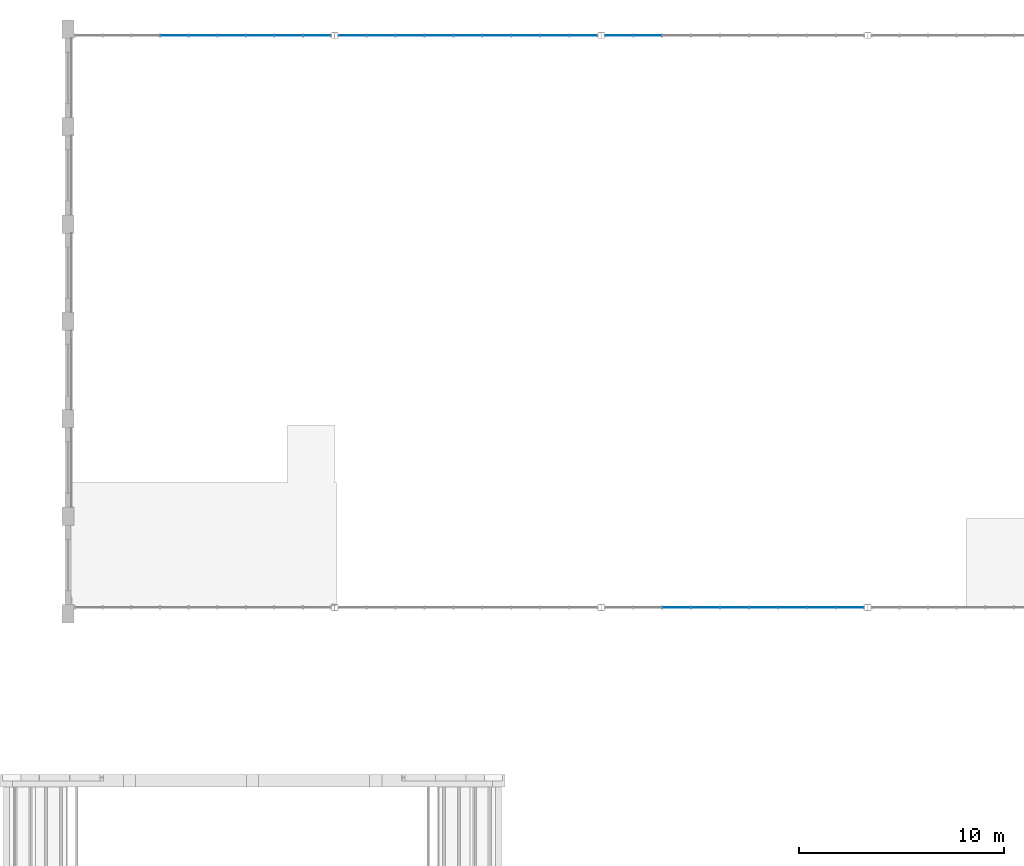
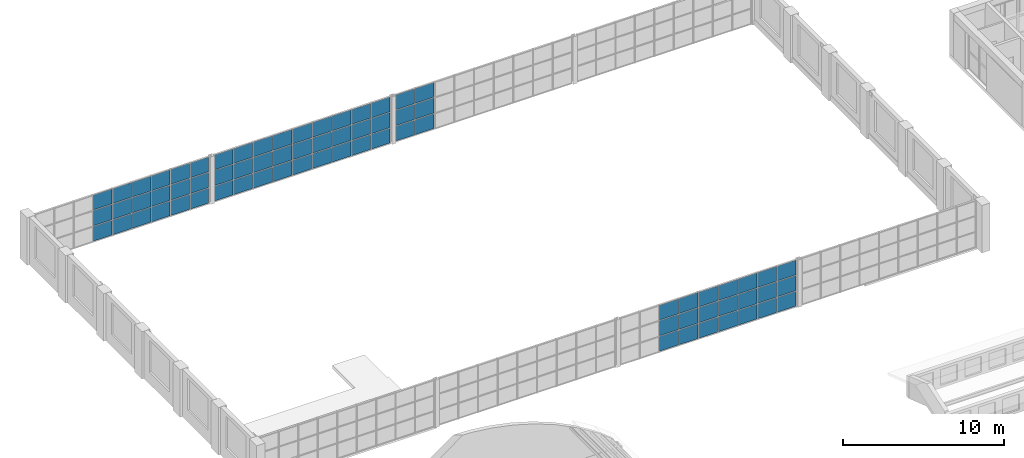
# One storey, part 28 of 70: 72 plates, 4 elements without a shape of their own.
"""IFC4 building model written with IfcOpenShell, lengths in metres."""

import ifcopenshell
import ifcopenshell.guid

model = None  # the IFC model being written
_history = None  # IfcOwnerHistory: only IFC2X3 demands one
_inside = {}  # id of a spatial element -> (the spatial element, [elements in it])
_under = {}  # id of a project, library or spatial element -> (it, [spatial elements below it])
_declared = {}  # id of a project -> (the project, [libraries it declares])
_typed = {}  # id of a type object -> (the type object, [elements of that type])
_made_of = {}  # id of a material, layer set ... -> (it, [elements and type objects made of it])


def new_model(schema):
    """Start an empty IFC model of exactly this schema.

    Asked for "IFC4X3", IfcOpenShell would pick the latest addendum, in which some entities
    have other attributes; the version numbers below select the first issue.
    IFC2X3 requires an IfcOwnerHistory on every rooted entity: one is made here for all.
    """
    global model, _history
    if schema == "IFC4X3":
        model = ifcopenshell.file(schema_version=(4, 3, 0, 0))
    else:
        model = ifcopenshell.file(schema=schema)
    _inside.clear()
    _under.clear()
    _declared.clear()
    _typed.clear()
    _made_of.clear()
    _history = None
    if model.schema == "IFC2X3":
        org = make("IfcOrganization", Name="unknown")
        user = make(
            "IfcPersonAndOrganization",
            ThePerson=make("IfcPerson", FamilyName="unknown"),
            TheOrganization=org,
        )
        app = make(
            "IfcApplication",
            ApplicationDeveloper=org,
            Version="unknown",
            ApplicationFullName="unknown",
            ApplicationIdentifier="unknown",
        )
        _history = make(
            "IfcOwnerHistory",
            OwningUser=user,
            OwningApplication=app,
            ChangeAction="ADDED",
            CreationDate=0,
        )
    return model


def make(cls, **values):
    """One entity of the class cls with the attributes given. An attribute that is None is left unset."""
    return model.create_entity(
        cls, **{name: value for name, value in values.items() if value is not None}
    )


def rooted(cls, **values):
    """An entity with a GlobalId (a new one), such as an element, a storey or a relation."""
    return make(cls, GlobalId=ifcopenshell.guid.new(), OwnerHistory=_history, **values)


def si_unit(unit_type, name, prefix=None):
    """IfcSIUnit, for example si_unit("LENGTHUNIT", "METRE", prefix="MILLI")."""
    return make("IfcSIUnit", UnitType=unit_type, Prefix=prefix, Name=name)


def assignment(units):
    """IfcUnitAssignment: the units of a project."""
    return None if units is None else make("IfcUnitAssignment", Units=units)


def point(xyz):
    """IfcCartesianPoint."""
    return None if xyz is None else make("IfcCartesianPoint", Coordinates=xyz)


def direction(xyz):
    """IfcDirection."""
    return None if xyz is None else make("IfcDirection", DirectionRatios=xyz)


def frame(location, z_axis=None, x_axis=None):
    """IfcAxis2Placement3D, a coordinate frame: its origin and axes. An axis left out is left unset."""
    return make(
        "IfcAxis2Placement3D",
        Location=point(location),
        Axis=direction(z_axis),
        RefDirection=direction(x_axis),
    )


def frame_2d(location, x_axis=None):
    """IfcAxis2Placement2D, a coordinate frame in the plane: its origin and x axis."""
    return make(
        "IfcAxis2Placement2D", Location=point(location), RefDirection=direction(x_axis)
    )


def origin():
    """The frame at (0, 0, 0) with its axes left unset."""
    return frame((0.0, 0.0, 0.0))


def origin_2d():
    """The frame at (0, 0) in the plane with its x axis left unset."""
    return frame_2d((0.0, 0.0))


def place(relative_to, where):
    """IfcLocalPlacement: puts the frame where relative to a parent placement (None: the world)."""
    return make(
        "IfcLocalPlacement", PlacementRelTo=relative_to, RelativePlacement=where
    )


def context(
    kind, dimensions, precision=None, world=None, true_north=None, identifier=None
):
    """IfcGeometricRepresentationContext, for example the 3D "Model" context."""
    return make(
        "IfcGeometricRepresentationContext",
        ContextIdentifier=identifier,
        ContextType=kind,
        CoordinateSpaceDimension=dimensions,
        Precision=precision,
        WorldCoordinateSystem=world,
        TrueNorth=true_north,
    )


def subcontext(parent, identifier, kind, view, scale=None):
    """IfcGeometricRepresentationSubContext, for example "Body" below "Model"."""
    return make(
        "IfcGeometricRepresentationSubContext",
        ContextIdentifier=identifier,
        ContextType=kind,
        ParentContext=parent,
        TargetScale=scale,
        TargetView=view,
    )


def project(units=None, contexts=None):
    """IfcProject with its units and contexts."""
    return rooted(
        "IfcProject",
        Name="project",
        RepresentationContexts=contexts,
        UnitsInContext=assignment(units),
    )


def spatial(cls, under=None, at=None, **own):
    """A site, building, storey or space (cls), placed at a placement, below another one or the project."""
    s = rooted(cls, ObjectPlacement=at, **own)
    if under is not None:
        _under.setdefault(under.id(), (under, []))[1].append(s)
    return s


def profile(cls, at=None, kind="AREA", **sizes):
    """A parametric profile (cls). Its sizes go by their IFC names, for example OverallWidth=200.0."""
    return make(cls, ProfileType=kind, Position=at, **sizes)


def rectangle(**sizes):
    """IfcRectangleProfileDef."""
    return profile("IfcRectangleProfileDef", **sizes)


def extrude(swept, where, along, depth):
    """IfcExtrudedAreaSolid: the profile swept, set in the frame where, extruded along a direction by depth."""
    return make(
        "IfcExtrudedAreaSolid",
        SweptArea=swept,
        Position=where,
        ExtrudedDirection=direction(along),
        Depth=depth,
    )


def shape(context_of_items, identifier, shape_type, items):
    """IfcShapeRepresentation: the items that make up one representation, for example the "Body"."""
    return make(
        "IfcShapeRepresentation",
        ContextOfItems=context_of_items,
        RepresentationIdentifier=identifier,
        RepresentationType=shape_type,
        Items=items,
    )


def material(Name=None, Category=None):
    """IfcMaterial."""
    return make("IfcMaterial", Name=Name, Category=Category)


def layer(
    of_material, thickness, ventilated=None, Name=None, Category=None, Priority=None
):
    """IfcMaterialLayer: one layer of a wall or slab, of a material (None: an air gap)."""
    return make(
        "IfcMaterialLayer",
        Material=of_material,
        LayerThickness=thickness,
        IsVentilated=ventilated,
        Name=Name,
        Category=Category,
        Priority=Priority,
    )


def layer_set(layers, Name=None):
    """IfcMaterialLayerSet."""
    return make("IfcMaterialLayerSet", MaterialLayers=layers, LayerSetName=Name)


def made_of(thing, what):
    """Note that an element or type object is made of a material, layer set ...; save() writes the relation."""
    if what is not None:
        _made_of.setdefault(what.id(), (what, []))[1].append(thing)
    return thing


def type_object(cls, material=None, **own):
    """A type object (cls), such as IfcWallType, which elements share."""
    return made_of(rooted(cls, **own), material)


def element(
    cls,
    number,
    at=None,
    inside=None,
    cuts=None,
    type_object=None,
    material=None,
    context=None,
    identifier="Body",
    shape_type=None,
    held_by="IfcProductDefinitionShape",
    body=None,
    shapes=None,
    **own,
):
    """One element of the class cls, such as IfcWall. Its Tag is "e" and its number.

    at: its placement. inside: the storey or other place that contains it. cuts: it is an
    opening in that element (IfcRelVoidsElement). A single representation is given by context,
    identifier, shape_type and body (its items); several are given by shapes. held_by: the class
    of the entity that holds the representations. save() writes the other relations.
    """
    e = rooted(cls, Tag="e%d" % number, ObjectPlacement=at, **own)
    if body is not None:
        shapes = [shape(context, identifier, shape_type, body)]
    if shapes is not None:
        e.Representation = make(held_by, Representations=shapes)
    if inside is not None:
        _inside.setdefault(inside.id(), (inside, []))[1].append(e)
    if cuts is not None:
        rooted(
            "IfcRelVoidsElement", RelatingBuildingElement=cuts, RelatedOpeningElement=e
        )
    if type_object is not None:
        _typed.setdefault(type_object.id(), (type_object, []))[1].append(e)
    return made_of(e, material)


def aggregate(whole, parts):
    """IfcRelAggregates: a whole, such as a stair, and the parts it consists of."""
    return rooted("IfcRelAggregates", RelatingObject=whole, RelatedObjects=parts)


def save(model, path):
    """Write the relations noted so far, then the file.

    IfcRelAggregates (storeys below a building ...), IfcRelContainedInSpatialStructure (elements
    in a storey), IfcRelDefinesByType, IfcRelAssociatesMaterial and IfcRelDeclares: one each for
    every whole, place, type object, material and project.
    """
    for whole, parts in _under.values():
        aggregate(whole, parts)
    for where, things in _inside.values():
        rooted(
            "IfcRelContainedInSpatialStructure",
            RelatedElements=things,
            RelatingStructure=where,
        )
    for kind, things in _typed.values():
        rooted("IfcRelDefinesByType", RelatedObjects=things, RelatingType=kind)
    for what, things in _made_of.values():
        rooted("IfcRelAssociatesMaterial", RelatedObjects=things, RelatingMaterial=what)
    for by, libraries in _declared.values():
        rooted("IfcRelDeclares", RelatingContext=by, RelatedDefinitions=libraries)
    model.write(path)


model = new_model("IFC4")

# Units and contexts
model_context = context("Model", 3, precision=1e-05, world=origin(), true_north=direction((0.0, 1.0)))
body_context = subcontext(model_context, "Body", "Model", "MODEL_VIEW")
ifc_project = project(units=[si_unit("LENGTHUNIT", "METRE"), si_unit("AREAUNIT", "SQUARE_METRE"), si_unit("VOLUMEUNIT", "CUBIC_METRE"), si_unit("PLANEANGLEUNIT", "RADIAN"), si_unit("MASSUNIT", "GRAM", prefix="KILO")], contexts=[model_context])

# Site, building, storey
site_placement = place(None, origin())
site = spatial("IfcSite", under=ifc_project, at=site_placement, CompositionType="ELEMENT")
building_placement = place(site_placement, origin())
building = spatial("IfcBuilding", under=site, at=building_placement, Name="Elbe Cascade School", CompositionType="ELEMENT")
storey_placement = place(building_placement, frame((0.0, 0.0, 8.10009765625)))
storey = spatial("IfcBuildingStorey", under=building, at=storey_placement, Name="L02", CompositionType="ELEMENT", Elevation=8.10009765625)

# Curtain wall, plates
ifc_material_1 = material(Name="Glass - double glazed low-E", Category="glass")
curtain_wall_type = type_object("IfcCurtainWallType", Name="Hall gable curtain wall", PredefinedType="NOTDEFINED", material=ifc_material_1)
curtain_wall_1_placement = place(storey_placement, origin())
curtain_wall_1 = element("IfcCurtainWall", 1, at=curtain_wall_1_placement, inside=storey, type_object=curtain_wall_type, Name="Gable curtain wall S3", PredefinedType="NOTDEFINED")
ifc_material_2 = material(Name="Glass - double glazed low-E", Category="glass")
ifc_layer = layer(ifc_material_2, 0.028076171875)
ifc_layer_set = layer_set([ifc_layer], Name="Glass - double glazed low-E")
plate_type = type_object("IfcPlateType", Name="Hall gable glass panel", PredefinedType="CURTAIN_PANEL", material=ifc_layer_set)
plate_1_placement = place(storey_placement, frame((37.677734375, 41.300048828125, 0.06005859375), z_axis=(0.0, 0.0, 1.0), x_axis=(1.0, 0.0, 0.0)))
plate_1 = element("IfcPlate", 2, at=plate_1_placement, type_object=plate_type, Name="CW6 panel 3.1", PredefinedType="CURTAIN_PANEL", context=body_context, shape_type="SweptSolid", body=[
    extrude(rectangle(XDim=1.35107421875, YDim=0.028076171875, at=origin_2d()), origin(), (0.0, 0.0, 1.0), 1.110107421875),
])
plate_2_placement = place(storey_placement, frame((37.677734375, 41.300048828125, 1.22998046875), z_axis=(0.0, 0.0, 1.0), x_axis=(1.0, 0.0, 0.0)))
plate_2 = element("IfcPlate", 3, at=plate_2_placement, type_object=plate_type, Name="CW6 panel 3.2", PredefinedType="CURTAIN_PANEL", context=body_context, shape_type="SweptSolid", body=[
    extrude(rectangle(XDim=1.35107421875, YDim=0.028076171875, at=origin_2d()), origin(), (0.0, 0.0, 1.0), 1.139892578125),
])
plate_3_placement = place(storey_placement, frame((37.677734375, 41.300048828125, 2.4296875), z_axis=(0.0, 0.0, 1.0), x_axis=(1.0, 0.0, 0.0)))
plate_3 = element("IfcPlate", 4, at=plate_3_placement, type_object=plate_type, Name="CW6 panel 3.3", PredefinedType="CURTAIN_PANEL", context=body_context, shape_type="SweptSolid", body=[
    extrude(rectangle(XDim=1.35107421875, YDim=0.028076171875, at=origin_2d()), origin(), (0.0, 0.0, 1.0), 1.110107421875),
])
plate_4_placement = place(storey_placement, frame((39.0888671875, 41.300048828125, 0.06005859375), z_axis=(0.0, 0.0, 1.0), x_axis=(1.0, 0.0, 0.0)))
plate_4 = element("IfcPlate", 5, at=plate_4_placement, type_object=plate_type, Name="CW6 panel 4.1", PredefinedType="CURTAIN_PANEL", context=body_context, shape_type="SweptSolid", body=[
    extrude(rectangle(XDim=1.35107421875, YDim=0.028076171875, at=origin_2d()), origin(), (0.0, 0.0, 1.0), 1.110107421875),
])
plate_5_placement = place(storey_placement, frame((39.0888671875, 41.300048828125, 1.22998046875), z_axis=(0.0, 0.0, 1.0), x_axis=(1.0, 0.0, 0.0)))
plate_5 = element("IfcPlate", 6, at=plate_5_placement, type_object=plate_type, Name="CW6 panel 4.2", PredefinedType="CURTAIN_PANEL", context=body_context, shape_type="SweptSolid", body=[
    extrude(rectangle(XDim=1.35107421875, YDim=0.028076171875, at=origin_2d()), origin(), (0.0, 0.0, 1.0), 1.139892578125),
])
plate_6_placement = place(storey_placement, frame((39.0888671875, 41.300048828125, 2.4296875), z_axis=(0.0, 0.0, 1.0), x_axis=(1.0, 0.0, 0.0)))
plate_6 = element("IfcPlate", 7, at=plate_6_placement, type_object=plate_type, Name="CW6 panel 4.3", PredefinedType="CURTAIN_PANEL", context=body_context, shape_type="SweptSolid", body=[
    extrude(rectangle(XDim=1.35107421875, YDim=0.028076171875, at=origin_2d()), origin(), (0.0, 0.0, 1.0), 1.110107421875),
])
plate_7_placement = place(storey_placement, frame((40.5, 41.300048828125, 0.06005859375), z_axis=(0.0, 0.0, 1.0), x_axis=(1.0, 0.0, 0.0)))
plate_7 = element("IfcPlate", 8, at=plate_7_placement, type_object=plate_type, Name="CW6 panel 5.1", PredefinedType="CURTAIN_PANEL", context=body_context, shape_type="SweptSolid", body=[
    extrude(rectangle(XDim=1.35107421875, YDim=0.028076171875, at=origin_2d()), origin(), (0.0, 0.0, 1.0), 1.110107421875),
])
plate_8_placement = place(storey_placement, frame((40.5, 41.300048828125, 1.22998046875), z_axis=(0.0, 0.0, 1.0), x_axis=(1.0, 0.0, 0.0)))
plate_8 = element("IfcPlate", 9, at=plate_8_placement, type_object=plate_type, Name="CW6 panel 5.2", PredefinedType="CURTAIN_PANEL", context=body_context, shape_type="SweptSolid", body=[
    extrude(rectangle(XDim=1.35107421875, YDim=0.028076171875, at=origin_2d()), origin(), (0.0, 0.0, 1.0), 1.139892578125),
])
plate_9_placement = place(storey_placement, frame((40.5, 41.300048828125, 2.4296875), z_axis=(0.0, 0.0, 1.0), x_axis=(1.0, 0.0, 0.0)))
plate_9 = element("IfcPlate", 10, at=plate_9_placement, type_object=plate_type, Name="CW6 panel 5.3", PredefinedType="CURTAIN_PANEL", context=body_context, shape_type="SweptSolid", body=[
    extrude(rectangle(XDim=1.35107421875, YDim=0.028076171875, at=origin_2d()), origin(), (0.0, 0.0, 1.0), 1.110107421875),
])
plate_10_placement = place(storey_placement, frame((41.9111328125, 41.300048828125, 0.06005859375), z_axis=(0.0, 0.0, 1.0), x_axis=(1.0, 0.0, 0.0)))
plate_10 = element("IfcPlate", 11, at=plate_10_placement, type_object=plate_type, Name="CW6 panel 6.1", PredefinedType="CURTAIN_PANEL", context=body_context, shape_type="SweptSolid", body=[
    extrude(rectangle(XDim=1.35107421875, YDim=0.028076171875, at=origin_2d()), origin(), (0.0, 0.0, 1.0), 1.110107421875),
])
plate_11_placement = place(storey_placement, frame((41.9111328125, 41.300048828125, 1.22998046875), z_axis=(0.0, 0.0, 1.0), x_axis=(1.0, 0.0, 0.0)))
plate_11 = element("IfcPlate", 12, at=plate_11_placement, type_object=plate_type, Name="CW6 panel 6.2", PredefinedType="CURTAIN_PANEL", context=body_context, shape_type="SweptSolid", body=[
    extrude(rectangle(XDim=1.35107421875, YDim=0.028076171875, at=origin_2d()), origin(), (0.0, 0.0, 1.0), 1.139892578125),
])
plate_12_placement = place(storey_placement, frame((41.9111328125, 41.300048828125, 2.4296875), z_axis=(0.0, 0.0, 1.0), x_axis=(1.0, 0.0, 0.0)))
plate_12 = element("IfcPlate", 13, at=plate_12_placement, type_object=plate_type, Name="CW6 panel 6.3", PredefinedType="CURTAIN_PANEL", context=body_context, shape_type="SweptSolid", body=[
    extrude(rectangle(XDim=1.35107421875, YDim=0.028076171875, at=origin_2d()), origin(), (0.0, 0.0, 1.0), 1.110107421875),
])
plate_13_placement = place(storey_placement, frame((43.322265625, 41.300048828125, 0.06005859375), z_axis=(0.0, 0.0, 1.0), x_axis=(1.0, 0.0, 0.0)))
plate_13 = element("IfcPlate", 14, at=plate_13_placement, type_object=plate_type, Name="CW6 panel 7.1", PredefinedType="CURTAIN_PANEL", context=body_context, shape_type="SweptSolid", body=[
    extrude(rectangle(XDim=1.35107421875, YDim=0.028076171875, at=origin_2d()), origin(), (0.0, 0.0, 1.0), 1.110107421875),
])
plate_14_placement = place(storey_placement, frame((43.322265625, 41.300048828125, 1.22998046875), z_axis=(0.0, 0.0, 1.0), x_axis=(1.0, 0.0, 0.0)))
plate_14 = element("IfcPlate", 15, at=plate_14_placement, type_object=plate_type, Name="CW6 panel 7.2", PredefinedType="CURTAIN_PANEL", context=body_context, shape_type="SweptSolid", body=[
    extrude(rectangle(XDim=1.35107421875, YDim=0.028076171875, at=origin_2d()), origin(), (0.0, 0.0, 1.0), 1.139892578125),
])
plate_15_placement = place(storey_placement, frame((43.322265625, 41.300048828125, 2.4296875), z_axis=(0.0, 0.0, 1.0), x_axis=(1.0, 0.0, 0.0)))
plate_15 = element("IfcPlate", 16, at=plate_15_placement, type_object=plate_type, Name="CW6 panel 7.3", PredefinedType="CURTAIN_PANEL", context=body_context, shape_type="SweptSolid", body=[
    extrude(rectangle(XDim=1.35107421875, YDim=0.028076171875, at=origin_2d()), origin(), (0.0, 0.0, 1.0), 1.110107421875),
])
plate_16_placement = place(storey_placement, frame((44.7333984375, 41.300048828125, 0.06005859375), z_axis=(0.0, 0.0, 1.0), x_axis=(1.0, 0.0, 0.0)))
plate_16 = element("IfcPlate", 17, at=plate_16_placement, type_object=plate_type, Name="CW6 panel 8.1", PredefinedType="CURTAIN_PANEL", context=body_context, shape_type="SweptSolid", body=[
    extrude(rectangle(XDim=1.35107421875, YDim=0.028076171875, at=origin_2d()), origin(), (0.0, 0.0, 1.0), 1.110107421875),
])
plate_17_placement = place(storey_placement, frame((44.7333984375, 41.300048828125, 1.22998046875), z_axis=(0.0, 0.0, 1.0), x_axis=(1.0, 0.0, 0.0)))
plate_17 = element("IfcPlate", 18, at=plate_17_placement, type_object=plate_type, Name="CW6 panel 8.2", PredefinedType="CURTAIN_PANEL", context=body_context, shape_type="SweptSolid", body=[
    extrude(rectangle(XDim=1.35107421875, YDim=0.028076171875, at=origin_2d()), origin(), (0.0, 0.0, 1.0), 1.139892578125),
])
plate_18_placement = place(storey_placement, frame((44.7333984375, 41.300048828125, 2.4296875), z_axis=(0.0, 0.0, 1.0), x_axis=(1.0, 0.0, 0.0)))
plate_18 = element("IfcPlate", 19, at=plate_18_placement, type_object=plate_type, Name="CW6 panel 8.3", PredefinedType="CURTAIN_PANEL", context=body_context, shape_type="SweptSolid", body=[
    extrude(rectangle(XDim=1.35107421875, YDim=0.028076171875, at=origin_2d()), origin(), (0.0, 0.0, 1.0), 1.110107421875),
])
plate_19_placement = place(storey_placement, frame((46.12939453125, 41.300048828125, 0.06005859375), z_axis=(0.0, 0.0, 1.0), x_axis=(1.0, 0.0, 0.0)))
plate_19 = element("IfcPlate", 20, at=plate_19_placement, type_object=plate_type, Name="CW6 panel 9.1", PredefinedType="CURTAIN_PANEL", context=body_context, shape_type="SweptSolid", body=[
    extrude(rectangle(XDim=1.321044921875, YDim=0.028076171875, at=origin_2d()), origin(), (0.0, 0.0, 1.0), 1.110107421875),
])
plate_20_placement = place(storey_placement, frame((46.12939453125, 41.300048828125, 1.22998046875), z_axis=(0.0, 0.0, 1.0), x_axis=(1.0, 0.0, 0.0)))
plate_20 = element("IfcPlate", 21, at=plate_20_placement, type_object=plate_type, Name="CW6 panel 9.2", PredefinedType="CURTAIN_PANEL", context=body_context, shape_type="SweptSolid", body=[
    extrude(rectangle(XDim=1.321044921875, YDim=0.028076171875, at=origin_2d()), origin(), (0.0, 0.0, 1.0), 1.139892578125),
])
plate_21_placement = place(storey_placement, frame((46.12939453125, 41.300048828125, 2.4296875), z_axis=(0.0, 0.0, 1.0), x_axis=(1.0, 0.0, 0.0)))
plate_21 = element("IfcPlate", 22, at=plate_21_placement, type_object=plate_type, Name="CW6 panel 9.3", PredefinedType="CURTAIN_PANEL", context=body_context, shape_type="SweptSolid", body=[
    extrude(rectangle(XDim=1.321044921875, YDim=0.028076171875, at=origin_2d()), origin(), (0.0, 0.0, 1.0), 1.110107421875),
])
aggregate(curtain_wall_1, [plate_1, plate_2, plate_3, plate_4, plate_5, plate_6, plate_7, plate_8, plate_9, plate_10, plate_11, plate_12, plate_13, plate_14, plate_15, plate_16, plate_17, plate_18, plate_19, plate_20, plate_21])

curtain_wall_2_placement = place(storey_placement, origin())
curtain_wall_2 = element("IfcCurtainWall", 23, at=curtain_wall_2_placement, inside=storey, type_object=curtain_wall_type, Name="Gable curtain wall N1", PredefinedType="NOTDEFINED")
plate_22_placement = place(storey_placement, frame((13.1806640625, 69.199951171875, 0.06005859375), z_axis=(0.0, 0.0, 1.0), x_axis=(1.0, 0.0, 0.0)))
plate_22 = element("IfcPlate", 24, at=plate_22_placement, type_object=plate_type, Name="CW6 panel 4.1", PredefinedType="CURTAIN_PANEL", context=body_context, shape_type="SweptSolid", body=[
    extrude(rectangle(XDim=1.33447265625, YDim=0.028076171875, at=origin_2d()), origin(), (0.0, 0.0, 1.0), 1.110107421875),
])
plate_23_placement = place(storey_placement, frame((13.1806640625, 69.199951171875, 1.22998046875), z_axis=(0.0, 0.0, 1.0), x_axis=(1.0, 0.0, 0.0)))
plate_23 = element("IfcPlate", 25, at=plate_23_placement, type_object=plate_type, Name="CW6 panel 4.2", PredefinedType="CURTAIN_PANEL", context=body_context, shape_type="SweptSolid", body=[
    extrude(rectangle(XDim=1.33447265625, YDim=0.028076171875, at=origin_2d()), origin(), (0.0, 0.0, 1.0), 1.139892578125),
])
plate_24_placement = place(storey_placement, frame((13.1806640625, 69.199951171875, 2.4296875), z_axis=(0.0, 0.0, 1.0), x_axis=(1.0, 0.0, 0.0)))
plate_24 = element("IfcPlate", 26, at=plate_24_placement, type_object=plate_type, Name="CW6 panel 4.3", PredefinedType="CURTAIN_PANEL", context=body_context, shape_type="SweptSolid", body=[
    extrude(rectangle(XDim=1.33447265625, YDim=0.028076171875, at=origin_2d()), origin(), (0.0, 0.0, 1.0), 1.110107421875),
])
plate_25_placement = place(storey_placement, frame((14.574951171875, 69.199951171875, 0.06005859375), z_axis=(0.0, 0.0, 1.0), x_axis=(1.0, 0.0, 0.0)))
plate_25 = element("IfcPlate", 27, at=plate_25_placement, type_object=plate_type, Name="CW6 panel 5.1", PredefinedType="CURTAIN_PANEL", context=body_context, shape_type="SweptSolid", body=[
    extrude(rectangle(XDim=1.33447265625, YDim=0.028076171875, at=origin_2d()), origin(), (0.0, 0.0, 1.0), 1.110107421875),
])
plate_26_placement = place(storey_placement, frame((14.574951171875, 69.199951171875, 1.22998046875), z_axis=(0.0, 0.0, 1.0), x_axis=(1.0, 0.0, 0.0)))
plate_26 = element("IfcPlate", 28, at=plate_26_placement, type_object=plate_type, Name="CW6 panel 5.2", PredefinedType="CURTAIN_PANEL", context=body_context, shape_type="SweptSolid", body=[
    extrude(rectangle(XDim=1.33447265625, YDim=0.028076171875, at=origin_2d()), origin(), (0.0, 0.0, 1.0), 1.139892578125),
])
plate_27_placement = place(storey_placement, frame((14.574951171875, 69.199951171875, 2.4296875), z_axis=(0.0, 0.0, 1.0), x_axis=(1.0, 0.0, 0.0)))
plate_27 = element("IfcPlate", 29, at=plate_27_placement, type_object=plate_type, Name="CW6 panel 5.3", PredefinedType="CURTAIN_PANEL", context=body_context, shape_type="SweptSolid", body=[
    extrude(rectangle(XDim=1.33447265625, YDim=0.028076171875, at=origin_2d()), origin(), (0.0, 0.0, 1.0), 1.110107421875),
])
plate_28_placement = place(storey_placement, frame((15.969482421875, 69.199951171875, 0.06005859375), z_axis=(0.0, 0.0, 1.0), x_axis=(1.0, 0.0, 0.0)))
plate_28 = element("IfcPlate", 30, at=plate_28_placement, type_object=plate_type, Name="CW6 panel 6.1", PredefinedType="CURTAIN_PANEL", context=body_context, shape_type="SweptSolid", body=[
    extrude(rectangle(XDim=1.33447265625, YDim=0.028076171875, at=origin_2d()), origin(), (0.0, 0.0, 1.0), 1.110107421875),
])
plate_29_placement = place(storey_placement, frame((15.969482421875, 69.199951171875, 1.22998046875), z_axis=(0.0, 0.0, 1.0), x_axis=(1.0, 0.0, 0.0)))
plate_29 = element("IfcPlate", 31, at=plate_29_placement, type_object=plate_type, Name="CW6 panel 6.2", PredefinedType="CURTAIN_PANEL", context=body_context, shape_type="SweptSolid", body=[
    extrude(rectangle(XDim=1.33447265625, YDim=0.028076171875, at=origin_2d()), origin(), (0.0, 0.0, 1.0), 1.139892578125),
])
plate_30_placement = place(storey_placement, frame((15.969482421875, 69.199951171875, 2.4296875), z_axis=(0.0, 0.0, 1.0), x_axis=(1.0, 0.0, 0.0)))
plate_30 = element("IfcPlate", 32, at=plate_30_placement, type_object=plate_type, Name="CW6 panel 6.3", PredefinedType="CURTAIN_PANEL", context=body_context, shape_type="SweptSolid", body=[
    extrude(rectangle(XDim=1.33447265625, YDim=0.028076171875, at=origin_2d()), origin(), (0.0, 0.0, 1.0), 1.110107421875),
])
plate_31_placement = place(storey_placement, frame((17.36376953125, 69.199951171875, 0.06005859375), z_axis=(0.0, 0.0, 1.0), x_axis=(1.0, 0.0, 0.0)))
plate_31 = element("IfcPlate", 33, at=plate_31_placement, type_object=plate_type, Name="CW6 panel 7.1", PredefinedType="CURTAIN_PANEL", context=body_context, shape_type="SweptSolid", body=[
    extrude(rectangle(XDim=1.33447265625, YDim=0.028076171875, at=origin_2d()), origin(), (0.0, 0.0, 1.0), 1.110107421875),
])
plate_32_placement = place(storey_placement, frame((17.36376953125, 69.199951171875, 1.22998046875), z_axis=(0.0, 0.0, 1.0), x_axis=(1.0, 0.0, 0.0)))
plate_32 = element("IfcPlate", 34, at=plate_32_placement, type_object=plate_type, Name="CW6 panel 7.2", PredefinedType="CURTAIN_PANEL", context=body_context, shape_type="SweptSolid", body=[
    extrude(rectangle(XDim=1.33447265625, YDim=0.028076171875, at=origin_2d()), origin(), (0.0, 0.0, 1.0), 1.139892578125),
])
plate_33_placement = place(storey_placement, frame((17.36376953125, 69.199951171875, 2.4296875), z_axis=(0.0, 0.0, 1.0), x_axis=(1.0, 0.0, 0.0)))
plate_33 = element("IfcPlate", 35, at=plate_33_placement, type_object=plate_type, Name="CW6 panel 7.3", PredefinedType="CURTAIN_PANEL", context=body_context, shape_type="SweptSolid", body=[
    extrude(rectangle(XDim=1.33447265625, YDim=0.028076171875, at=origin_2d()), origin(), (0.0, 0.0, 1.0), 1.110107421875),
])
plate_34_placement = place(storey_placement, frame((18.75830078125, 69.199951171875, 0.06005859375), z_axis=(0.0, 0.0, 1.0), x_axis=(1.0, 0.0, 0.0)))
plate_34 = element("IfcPlate", 36, at=plate_34_placement, type_object=plate_type, Name="CW6 panel 8.1", PredefinedType="CURTAIN_PANEL", context=body_context, shape_type="SweptSolid", body=[
    extrude(rectangle(XDim=1.33447265625, YDim=0.028076171875, at=origin_2d()), origin(), (0.0, 0.0, 1.0), 1.110107421875),
])
plate_35_placement = place(storey_placement, frame((18.75830078125, 69.199951171875, 1.22998046875), z_axis=(0.0, 0.0, 1.0), x_axis=(1.0, 0.0, 0.0)))
plate_35 = element("IfcPlate", 37, at=plate_35_placement, type_object=plate_type, Name="CW6 panel 8.2", PredefinedType="CURTAIN_PANEL", context=body_context, shape_type="SweptSolid", body=[
    extrude(rectangle(XDim=1.33447265625, YDim=0.028076171875, at=origin_2d()), origin(), (0.0, 0.0, 1.0), 1.139892578125),
])
plate_36_placement = place(storey_placement, frame((18.75830078125, 69.199951171875, 2.4296875), z_axis=(0.0, 0.0, 1.0), x_axis=(1.0, 0.0, 0.0)))
plate_36 = element("IfcPlate", 38, at=plate_36_placement, type_object=plate_type, Name="CW6 panel 8.3", PredefinedType="CURTAIN_PANEL", context=body_context, shape_type="SweptSolid", body=[
    extrude(rectangle(XDim=1.33447265625, YDim=0.028076171875, at=origin_2d()), origin(), (0.0, 0.0, 1.0), 1.110107421875),
])
plate_37_placement = place(storey_placement, frame((20.1376953125, 69.199951171875, 0.06005859375), z_axis=(0.0, 0.0, 1.0), x_axis=(1.0, 0.0, 0.0)))
plate_37 = element("IfcPlate", 39, at=plate_37_placement, type_object=plate_type, Name="CW6 panel 9.1", PredefinedType="CURTAIN_PANEL", context=body_context, shape_type="SweptSolid", body=[
    extrude(rectangle(XDim=1.304443359375, YDim=0.028076171875, at=origin_2d()), origin(), (0.0, 0.0, 1.0), 1.110107421875),
])
plate_38_placement = place(storey_placement, frame((20.1376953125, 69.199951171875, 1.22998046875), z_axis=(0.0, 0.0, 1.0), x_axis=(1.0, 0.0, 0.0)))
plate_38 = element("IfcPlate", 40, at=plate_38_placement, type_object=plate_type, Name="CW6 panel 9.2", PredefinedType="CURTAIN_PANEL", context=body_context, shape_type="SweptSolid", body=[
    extrude(rectangle(XDim=1.304443359375, YDim=0.028076171875, at=origin_2d()), origin(), (0.0, 0.0, 1.0), 1.139892578125),
])
plate_39_placement = place(storey_placement, frame((20.1376953125, 69.199951171875, 2.4296875), z_axis=(0.0, 0.0, 1.0), x_axis=(1.0, 0.0, 0.0)))
plate_39 = element("IfcPlate", 41, at=plate_39_placement, type_object=plate_type, Name="CW6 panel 9.3", PredefinedType="CURTAIN_PANEL", context=body_context, shape_type="SweptSolid", body=[
    extrude(rectangle(XDim=1.304443359375, YDim=0.028076171875, at=origin_2d()), origin(), (0.0, 0.0, 1.0), 1.110107421875),
])
aggregate(curtain_wall_2, [plate_22, plate_23, plate_24, plate_25, plate_26, plate_27, plate_28, plate_29, plate_30, plate_31, plate_32, plate_33, plate_34, plate_35, plate_36, plate_37, plate_38, plate_39])

curtain_wall_3_placement = place(storey_placement, origin())
curtain_wall_3 = element("IfcCurtainWall", 42, at=curtain_wall_3_placement, inside=storey, type_object=curtain_wall_type, Name="Gable curtain wall N2", PredefinedType="NOTDEFINED")
plate_40_placement = place(storey_placement, frame((21.87060546875, 69.199951171875, 0.06005859375), z_axis=(0.0, 0.0, 1.0), x_axis=(1.0, 0.0, 0.0)))
plate_40 = element("IfcPlate", 43, at=plate_40_placement, type_object=plate_type, Name="CW6 panel 1.1", PredefinedType="CURTAIN_PANEL", context=body_context, shape_type="SweptSolid", body=[
    extrude(rectangle(XDim=1.321044921875, YDim=0.028076171875, at=origin_2d()), origin(), (0.0, 0.0, 1.0), 1.110107421875),
])
plate_41_placement = place(storey_placement, frame((21.87060546875, 69.199951171875, 1.22998046875), z_axis=(0.0, 0.0, 1.0), x_axis=(1.0, 0.0, 0.0)))
plate_41 = element("IfcPlate", 44, at=plate_41_placement, type_object=plate_type, Name="CW6 panel 1.2", PredefinedType="CURTAIN_PANEL", context=body_context, shape_type="SweptSolid", body=[
    extrude(rectangle(XDim=1.321044921875, YDim=0.028076171875, at=origin_2d()), origin(), (0.0, 0.0, 1.0), 1.139892578125),
])
plate_42_placement = place(storey_placement, frame((21.87060546875, 69.199951171875, 2.4296875), z_axis=(0.0, 0.0, 1.0), x_axis=(1.0, 0.0, 0.0)))
plate_42 = element("IfcPlate", 45, at=plate_42_placement, type_object=plate_type, Name="CW6 panel 1.3", PredefinedType="CURTAIN_PANEL", context=body_context, shape_type="SweptSolid", body=[
    extrude(rectangle(XDim=1.321044921875, YDim=0.028076171875, at=origin_2d()), origin(), (0.0, 0.0, 1.0), 1.110107421875),
])
plate_43_placement = place(storey_placement, frame((23.2666015625, 69.199951171875, 0.06005859375), z_axis=(0.0, 0.0, 1.0), x_axis=(1.0, 0.0, 0.0)))
plate_43 = element("IfcPlate", 46, at=plate_43_placement, type_object=plate_type, Name="CW6 panel 2.1", PredefinedType="CURTAIN_PANEL", context=body_context, shape_type="SweptSolid", body=[
    extrude(rectangle(XDim=1.35107421875, YDim=0.028076171875, at=origin_2d()), origin(), (0.0, 0.0, 1.0), 1.110107421875),
])
plate_44_placement = place(storey_placement, frame((23.2666015625, 69.199951171875, 1.22998046875), z_axis=(0.0, 0.0, 1.0), x_axis=(1.0, 0.0, 0.0)))
plate_44 = element("IfcPlate", 47, at=plate_44_placement, type_object=plate_type, Name="CW6 panel 2.2", PredefinedType="CURTAIN_PANEL", context=body_context, shape_type="SweptSolid", body=[
    extrude(rectangle(XDim=1.35107421875, YDim=0.028076171875, at=origin_2d()), origin(), (0.0, 0.0, 1.0), 1.139892578125),
])
plate_45_placement = place(storey_placement, frame((23.2666015625, 69.199951171875, 2.4296875), z_axis=(0.0, 0.0, 1.0), x_axis=(1.0, 0.0, 0.0)))
plate_45 = element("IfcPlate", 48, at=plate_45_placement, type_object=plate_type, Name="CW6 panel 2.3", PredefinedType="CURTAIN_PANEL", context=body_context, shape_type="SweptSolid", body=[
    extrude(rectangle(XDim=1.35107421875, YDim=0.028076171875, at=origin_2d()), origin(), (0.0, 0.0, 1.0), 1.110107421875),
])
plate_46_placement = place(storey_placement, frame((24.677734375, 69.199951171875, 0.06005859375), z_axis=(0.0, 0.0, 1.0), x_axis=(1.0, 0.0, 0.0)))
plate_46 = element("IfcPlate", 49, at=plate_46_placement, type_object=plate_type, Name="CW6 panel 3.1", PredefinedType="CURTAIN_PANEL", context=body_context, shape_type="SweptSolid", body=[
    extrude(rectangle(XDim=1.35107421875, YDim=0.028076171875, at=origin_2d()), origin(), (0.0, 0.0, 1.0), 1.110107421875),
])
plate_47_placement = place(storey_placement, frame((24.677734375, 69.199951171875, 1.22998046875), z_axis=(0.0, 0.0, 1.0), x_axis=(1.0, 0.0, 0.0)))
plate_47 = element("IfcPlate", 50, at=plate_47_placement, type_object=plate_type, Name="CW6 panel 3.2", PredefinedType="CURTAIN_PANEL", context=body_context, shape_type="SweptSolid", body=[
    extrude(rectangle(XDim=1.35107421875, YDim=0.028076171875, at=origin_2d()), origin(), (0.0, 0.0, 1.0), 1.139892578125),
])
plate_48_placement = place(storey_placement, frame((24.677734375, 69.199951171875, 2.4296875), z_axis=(0.0, 0.0, 1.0), x_axis=(1.0, 0.0, 0.0)))
plate_48 = element("IfcPlate", 51, at=plate_48_placement, type_object=plate_type, Name="CW6 panel 3.3", PredefinedType="CURTAIN_PANEL", context=body_context, shape_type="SweptSolid", body=[
    extrude(rectangle(XDim=1.35107421875, YDim=0.028076171875, at=origin_2d()), origin(), (0.0, 0.0, 1.0), 1.110107421875),
])
plate_49_placement = place(storey_placement, frame((26.0888671875, 69.199951171875, 0.06005859375), z_axis=(0.0, 0.0, 1.0), x_axis=(1.0, 0.0, 0.0)))
plate_49 = element("IfcPlate", 52, at=plate_49_placement, type_object=plate_type, Name="CW6 panel 4.1", PredefinedType="CURTAIN_PANEL", context=body_context, shape_type="SweptSolid", body=[
    extrude(rectangle(XDim=1.35107421875, YDim=0.028076171875, at=origin_2d()), origin(), (0.0, 0.0, 1.0), 1.110107421875),
])
plate_50_placement = place(storey_placement, frame((26.0888671875, 69.199951171875, 1.22998046875), z_axis=(0.0, 0.0, 1.0), x_axis=(1.0, 0.0, 0.0)))
plate_50 = element("IfcPlate", 53, at=plate_50_placement, type_object=plate_type, Name="CW6 panel 4.2", PredefinedType="CURTAIN_PANEL", context=body_context, shape_type="SweptSolid", body=[
    extrude(rectangle(XDim=1.35107421875, YDim=0.028076171875, at=origin_2d()), origin(), (0.0, 0.0, 1.0), 1.139892578125),
])
plate_51_placement = place(storey_placement, frame((26.0888671875, 69.199951171875, 2.4296875), z_axis=(0.0, 0.0, 1.0), x_axis=(1.0, 0.0, 0.0)))
plate_51 = element("IfcPlate", 54, at=plate_51_placement, type_object=plate_type, Name="CW6 panel 4.3", PredefinedType="CURTAIN_PANEL", context=body_context, shape_type="SweptSolid", body=[
    extrude(rectangle(XDim=1.35107421875, YDim=0.028076171875, at=origin_2d()), origin(), (0.0, 0.0, 1.0), 1.110107421875),
])
plate_52_placement = place(storey_placement, frame((27.5, 69.199951171875, 0.06005859375), z_axis=(0.0, 0.0, 1.0), x_axis=(1.0, 0.0, 0.0)))
plate_52 = element("IfcPlate", 55, at=plate_52_placement, type_object=plate_type, Name="CW6 panel 5.1", PredefinedType="CURTAIN_PANEL", context=body_context, shape_type="SweptSolid", body=[
    extrude(rectangle(XDim=1.35107421875, YDim=0.028076171875, at=origin_2d()), origin(), (0.0, 0.0, 1.0), 1.110107421875),
])
plate_53_placement = place(storey_placement, frame((27.5, 69.199951171875, 1.22998046875), z_axis=(0.0, 0.0, 1.0), x_axis=(1.0, 0.0, 0.0)))
plate_53 = element("IfcPlate", 56, at=plate_53_placement, type_object=plate_type, Name="CW6 panel 5.2", PredefinedType="CURTAIN_PANEL", context=body_context, shape_type="SweptSolid", body=[
    extrude(rectangle(XDim=1.35107421875, YDim=0.028076171875, at=origin_2d()), origin(), (0.0, 0.0, 1.0), 1.139892578125),
])
plate_54_placement = place(storey_placement, frame((27.5, 69.199951171875, 2.4296875), z_axis=(0.0, 0.0, 1.0), x_axis=(1.0, 0.0, 0.0)))
plate_54 = element("IfcPlate", 57, at=plate_54_placement, type_object=plate_type, Name="CW6 panel 5.3", PredefinedType="CURTAIN_PANEL", context=body_context, shape_type="SweptSolid", body=[
    extrude(rectangle(XDim=1.35107421875, YDim=0.028076171875, at=origin_2d()), origin(), (0.0, 0.0, 1.0), 1.110107421875),
])
plate_55_placement = place(storey_placement, frame((28.9111328125, 69.199951171875, 0.06005859375), z_axis=(0.0, 0.0, 1.0), x_axis=(1.0, 0.0, 0.0)))
plate_55 = element("IfcPlate", 58, at=plate_55_placement, type_object=plate_type, Name="CW6 panel 6.1", PredefinedType="CURTAIN_PANEL", context=body_context, shape_type="SweptSolid", body=[
    extrude(rectangle(XDim=1.35107421875, YDim=0.028076171875, at=origin_2d()), origin(), (0.0, 0.0, 1.0), 1.110107421875),
])
plate_56_placement = place(storey_placement, frame((28.9111328125, 69.199951171875, 1.22998046875), z_axis=(0.0, 0.0, 1.0), x_axis=(1.0, 0.0, 0.0)))
plate_56 = element("IfcPlate", 59, at=plate_56_placement, type_object=plate_type, Name="CW6 panel 6.2", PredefinedType="CURTAIN_PANEL", context=body_context, shape_type="SweptSolid", body=[
    extrude(rectangle(XDim=1.35107421875, YDim=0.028076171875, at=origin_2d()), origin(), (0.0, 0.0, 1.0), 1.139892578125),
])
plate_57_placement = place(storey_placement, frame((28.9111328125, 69.199951171875, 2.4296875), z_axis=(0.0, 0.0, 1.0), x_axis=(1.0, 0.0, 0.0)))
plate_57 = element("IfcPlate", 60, at=plate_57_placement, type_object=plate_type, Name="CW6 panel 6.3", PredefinedType="CURTAIN_PANEL", context=body_context, shape_type="SweptSolid", body=[
    extrude(rectangle(XDim=1.35107421875, YDim=0.028076171875, at=origin_2d()), origin(), (0.0, 0.0, 1.0), 1.110107421875),
])
plate_58_placement = place(storey_placement, frame((30.322265625, 69.199951171875, 0.06005859375), z_axis=(0.0, 0.0, 1.0), x_axis=(1.0, 0.0, 0.0)))
plate_58 = element("IfcPlate", 61, at=plate_58_placement, type_object=plate_type, Name="CW6 panel 7.1", PredefinedType="CURTAIN_PANEL", context=body_context, shape_type="SweptSolid", body=[
    extrude(rectangle(XDim=1.35107421875, YDim=0.028076171875, at=origin_2d()), origin(), (0.0, 0.0, 1.0), 1.110107421875),
])
plate_59_placement = place(storey_placement, frame((30.322265625, 69.199951171875, 1.22998046875), z_axis=(0.0, 0.0, 1.0), x_axis=(1.0, 0.0, 0.0)))
plate_59 = element("IfcPlate", 62, at=plate_59_placement, type_object=plate_type, Name="CW6 panel 7.2", PredefinedType="CURTAIN_PANEL", context=body_context, shape_type="SweptSolid", body=[
    extrude(rectangle(XDim=1.35107421875, YDim=0.028076171875, at=origin_2d()), origin(), (0.0, 0.0, 1.0), 1.139892578125),
])
plate_60_placement = place(storey_placement, frame((30.322265625, 69.199951171875, 2.4296875), z_axis=(0.0, 0.0, 1.0), x_axis=(1.0, 0.0, 0.0)))
plate_60 = element("IfcPlate", 63, at=plate_60_placement, type_object=plate_type, Name="CW6 panel 7.3", PredefinedType="CURTAIN_PANEL", context=body_context, shape_type="SweptSolid", body=[
    extrude(rectangle(XDim=1.35107421875, YDim=0.028076171875, at=origin_2d()), origin(), (0.0, 0.0, 1.0), 1.110107421875),
])
plate_61_placement = place(storey_placement, frame((31.7333984375, 69.199951171875, 0.06005859375), z_axis=(0.0, 0.0, 1.0), x_axis=(1.0, 0.0, 0.0)))
plate_61 = element("IfcPlate", 64, at=plate_61_placement, type_object=plate_type, Name="CW6 panel 8.1", PredefinedType="CURTAIN_PANEL", context=body_context, shape_type="SweptSolid", body=[
    extrude(rectangle(XDim=1.35107421875, YDim=0.028076171875, at=origin_2d()), origin(), (0.0, 0.0, 1.0), 1.110107421875),
])
plate_62_placement = place(storey_placement, frame((31.7333984375, 69.199951171875, 1.22998046875), z_axis=(0.0, 0.0, 1.0), x_axis=(1.0, 0.0, 0.0)))
plate_62 = element("IfcPlate", 65, at=plate_62_placement, type_object=plate_type, Name="CW6 panel 8.2", PredefinedType="CURTAIN_PANEL", context=body_context, shape_type="SweptSolid", body=[
    extrude(rectangle(XDim=1.35107421875, YDim=0.028076171875, at=origin_2d()), origin(), (0.0, 0.0, 1.0), 1.139892578125),
])
plate_63_placement = place(storey_placement, frame((31.7333984375, 69.199951171875, 2.4296875), z_axis=(0.0, 0.0, 1.0), x_axis=(1.0, 0.0, 0.0)))
plate_63 = element("IfcPlate", 66, at=plate_63_placement, type_object=plate_type, Name="CW6 panel 8.3", PredefinedType="CURTAIN_PANEL", context=body_context, shape_type="SweptSolid", body=[
    extrude(rectangle(XDim=1.35107421875, YDim=0.028076171875, at=origin_2d()), origin(), (0.0, 0.0, 1.0), 1.110107421875),
])
plate_64_placement = place(storey_placement, frame((33.12939453125, 69.199951171875, 0.06005859375), z_axis=(0.0, 0.0, 1.0), x_axis=(1.0, 0.0, 0.0)))
plate_64 = element("IfcPlate", 67, at=plate_64_placement, type_object=plate_type, Name="CW6 panel 9.1", PredefinedType="CURTAIN_PANEL", context=body_context, shape_type="SweptSolid", body=[
    extrude(rectangle(XDim=1.321044921875, YDim=0.028076171875, at=origin_2d()), origin(), (0.0, 0.0, 1.0), 1.110107421875),
])
plate_65_placement = place(storey_placement, frame((33.12939453125, 69.199951171875, 1.22998046875), z_axis=(0.0, 0.0, 1.0), x_axis=(1.0, 0.0, 0.0)))
plate_65 = element("IfcPlate", 68, at=plate_65_placement, type_object=plate_type, Name="CW6 panel 9.2", PredefinedType="CURTAIN_PANEL", context=body_context, shape_type="SweptSolid", body=[
    extrude(rectangle(XDim=1.321044921875, YDim=0.028076171875, at=origin_2d()), origin(), (0.0, 0.0, 1.0), 1.139892578125),
])
plate_66_placement = place(storey_placement, frame((33.12939453125, 69.199951171875, 2.4296875), z_axis=(0.0, 0.0, 1.0), x_axis=(1.0, 0.0, 0.0)))
plate_66 = element("IfcPlate", 69, at=plate_66_placement, type_object=plate_type, Name="CW6 panel 9.3", PredefinedType="CURTAIN_PANEL", context=body_context, shape_type="SweptSolid", body=[
    extrude(rectangle(XDim=1.321044921875, YDim=0.028076171875, at=origin_2d()), origin(), (0.0, 0.0, 1.0), 1.110107421875),
])
aggregate(curtain_wall_3, [plate_40, plate_41, plate_42, plate_43, plate_44, plate_45, plate_46, plate_47, plate_48, plate_49, plate_50, plate_51, plate_52, plate_53, plate_54, plate_55, plate_56, plate_57, plate_58, plate_59, plate_60, plate_61, plate_62, plate_63, plate_64, plate_65, plate_66])

curtain_wall_4_placement = place(storey_placement, origin())
curtain_wall_4 = element("IfcCurtainWall", 70, at=curtain_wall_4_placement, inside=storey, type_object=curtain_wall_type, Name="Gable curtain wall N3", PredefinedType="NOTDEFINED")
plate_67_placement = place(storey_placement, frame((34.87060546875, 69.199951171875, 0.06005859375), z_axis=(0.0, 0.0, 1.0), x_axis=(1.0, 0.0, 0.0)))
plate_67 = element("IfcPlate", 71, at=plate_67_placement, type_object=plate_type, Name="CW6 panel 1.1", PredefinedType="CURTAIN_PANEL", context=body_context, shape_type="SweptSolid", body=[
    extrude(rectangle(XDim=1.321044921875, YDim=0.028076171875, at=origin_2d()), origin(), (0.0, 0.0, 1.0), 1.110107421875),
])
plate_68_placement = place(storey_placement, frame((34.87060546875, 69.199951171875, 1.22998046875), z_axis=(0.0, 0.0, 1.0), x_axis=(1.0, 0.0, 0.0)))
plate_68 = element("IfcPlate", 72, at=plate_68_placement, type_object=plate_type, Name="CW6 panel 1.2", PredefinedType="CURTAIN_PANEL", context=body_context, shape_type="SweptSolid", body=[
    extrude(rectangle(XDim=1.321044921875, YDim=0.028076171875, at=origin_2d()), origin(), (0.0, 0.0, 1.0), 1.139892578125),
])
plate_69_placement = place(storey_placement, frame((34.87060546875, 69.199951171875, 2.4296875), z_axis=(0.0, 0.0, 1.0), x_axis=(1.0, 0.0, 0.0)))
plate_69 = element("IfcPlate", 73, at=plate_69_placement, type_object=plate_type, Name="CW6 panel 1.3", PredefinedType="CURTAIN_PANEL", context=body_context, shape_type="SweptSolid", body=[
    extrude(rectangle(XDim=1.321044921875, YDim=0.028076171875, at=origin_2d()), origin(), (0.0, 0.0, 1.0), 1.110107421875),
])
plate_70_placement = place(storey_placement, frame((36.2666015625, 69.199951171875, 0.06005859375), z_axis=(0.0, 0.0, 1.0), x_axis=(1.0, 0.0, 0.0)))
plate_70 = element("IfcPlate", 74, at=plate_70_placement, type_object=plate_type, Name="CW6 panel 2.1", PredefinedType="CURTAIN_PANEL", context=body_context, shape_type="SweptSolid", body=[
    extrude(rectangle(XDim=1.35107421875, YDim=0.028076171875, at=origin_2d()), origin(), (0.0, 0.0, 1.0), 1.110107421875),
])
plate_71_placement = place(storey_placement, frame((36.2666015625, 69.199951171875, 1.22998046875), z_axis=(0.0, 0.0, 1.0), x_axis=(1.0, 0.0, 0.0)))
plate_71 = element("IfcPlate", 75, at=plate_71_placement, type_object=plate_type, Name="CW6 panel 2.2", PredefinedType="CURTAIN_PANEL", context=body_context, shape_type="SweptSolid", body=[
    extrude(rectangle(XDim=1.35107421875, YDim=0.028076171875, at=origin_2d()), origin(), (0.0, 0.0, 1.0), 1.139892578125),
])
plate_72_placement = place(storey_placement, frame((36.2666015625, 69.199951171875, 2.4296875), z_axis=(0.0, 0.0, 1.0), x_axis=(1.0, 0.0, 0.0)))
plate_72 = element("IfcPlate", 76, at=plate_72_placement, type_object=plate_type, Name="CW6 panel 2.3", PredefinedType="CURTAIN_PANEL", context=body_context, shape_type="SweptSolid", body=[
    extrude(rectangle(XDim=1.35107421875, YDim=0.028076171875, at=origin_2d()), origin(), (0.0, 0.0, 1.0), 1.110107421875),
])
aggregate(curtain_wall_4, [plate_67, plate_68, plate_69, plate_70, plate_71, plate_72])

save(model, "model.ifc")
